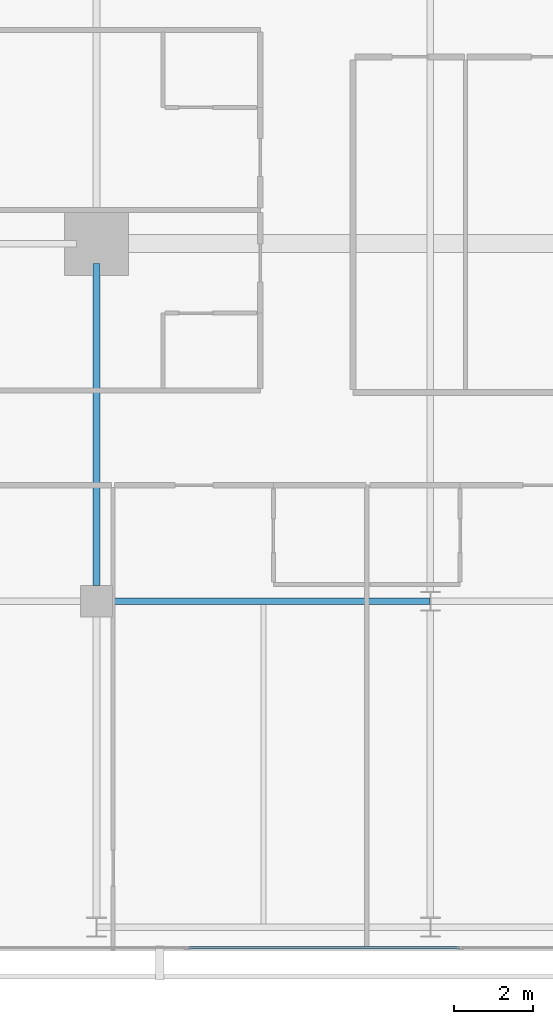
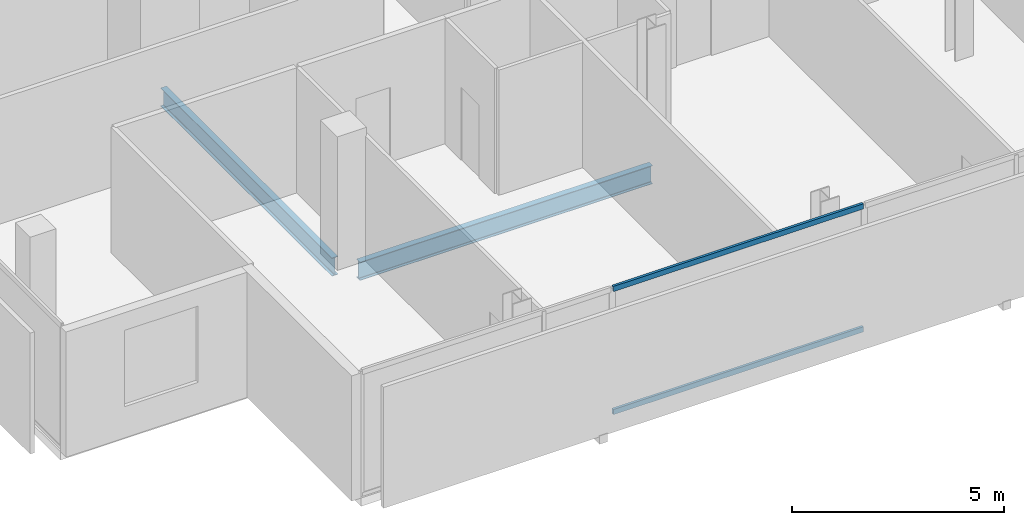
# One storey, part 5 of 26: 2 beams, 2 members, 1 element without a shape of its own.
"""IFC4 building model written with IfcOpenShell, lengths in metres."""

import ifcopenshell
import ifcopenshell.guid

model = None  # the IFC model being written
_history = None  # IfcOwnerHistory: only IFC2X3 demands one
_inside = {}  # id of a spatial element -> (the spatial element, [elements in it])
_under = {}  # id of a project, library or spatial element -> (it, [spatial elements below it])
_declared = {}  # id of a project -> (the project, [libraries it declares])
_typed = {}  # id of a type object -> (the type object, [elements of that type])
_made_of = {}  # id of a material, layer set ... -> (it, [elements and type objects made of it])


def new_model(schema):
    """Start an empty IFC model of exactly this schema.

    Asked for "IFC4X3", IfcOpenShell would pick the latest addendum, in which some entities
    have other attributes; the version numbers below select the first issue.
    IFC2X3 requires an IfcOwnerHistory on every rooted entity: one is made here for all.
    """
    global model, _history
    if schema == "IFC4X3":
        model = ifcopenshell.file(schema_version=(4, 3, 0, 0))
    else:
        model = ifcopenshell.file(schema=schema)
    _inside.clear()
    _under.clear()
    _declared.clear()
    _typed.clear()
    _made_of.clear()
    _history = None
    if model.schema == "IFC2X3":
        org = make("IfcOrganization", Name="unknown")
        user = make(
            "IfcPersonAndOrganization",
            ThePerson=make("IfcPerson", FamilyName="unknown"),
            TheOrganization=org,
        )
        app = make(
            "IfcApplication",
            ApplicationDeveloper=org,
            Version="unknown",
            ApplicationFullName="unknown",
            ApplicationIdentifier="unknown",
        )
        _history = make(
            "IfcOwnerHistory",
            OwningUser=user,
            OwningApplication=app,
            ChangeAction="ADDED",
            CreationDate=0,
        )
    return model


def make(cls, **values):
    """One entity of the class cls with the attributes given. An attribute that is None is left unset."""
    return model.create_entity(
        cls, **{name: value for name, value in values.items() if value is not None}
    )


def rooted(cls, **values):
    """An entity with a GlobalId (a new one), such as an element, a storey or a relation."""
    return make(cls, GlobalId=ifcopenshell.guid.new(), OwnerHistory=_history, **values)


def si_unit(unit_type, name, prefix=None):
    """IfcSIUnit, for example si_unit("LENGTHUNIT", "METRE", prefix="MILLI")."""
    return make("IfcSIUnit", UnitType=unit_type, Prefix=prefix, Name=name)


def assignment(units):
    """IfcUnitAssignment: the units of a project."""
    return None if units is None else make("IfcUnitAssignment", Units=units)


def point(xyz):
    """IfcCartesianPoint."""
    return None if xyz is None else make("IfcCartesianPoint", Coordinates=xyz)


def direction(xyz):
    """IfcDirection."""
    return None if xyz is None else make("IfcDirection", DirectionRatios=xyz)


def frame(location, z_axis=None, x_axis=None):
    """IfcAxis2Placement3D, a coordinate frame: its origin and axes. An axis left out is left unset."""
    return make(
        "IfcAxis2Placement3D",
        Location=point(location),
        Axis=direction(z_axis),
        RefDirection=direction(x_axis),
    )


def frame_2d(location, x_axis=None):
    """IfcAxis2Placement2D, a coordinate frame in the plane: its origin and x axis."""
    return make(
        "IfcAxis2Placement2D", Location=point(location), RefDirection=direction(x_axis)
    )


def origin():
    """The frame at (0, 0, 0) with its axes left unset."""
    return frame((0.0, 0.0, 0.0))


def origin_2d():
    """The frame at (0, 0) in the plane with its x axis left unset."""
    return frame_2d((0.0, 0.0))


def place(relative_to, where):
    """IfcLocalPlacement: puts the frame where relative to a parent placement (None: the world)."""
    return make(
        "IfcLocalPlacement", PlacementRelTo=relative_to, RelativePlacement=where
    )


def context(
    kind, dimensions, precision=None, world=None, true_north=None, identifier=None
):
    """IfcGeometricRepresentationContext, for example the 3D "Model" context."""
    return make(
        "IfcGeometricRepresentationContext",
        ContextIdentifier=identifier,
        ContextType=kind,
        CoordinateSpaceDimension=dimensions,
        Precision=precision,
        WorldCoordinateSystem=world,
        TrueNorth=true_north,
    )


def subcontext(parent, identifier, kind, view, scale=None):
    """IfcGeometricRepresentationSubContext, for example "Body" below "Model"."""
    return make(
        "IfcGeometricRepresentationSubContext",
        ContextIdentifier=identifier,
        ContextType=kind,
        ParentContext=parent,
        TargetScale=scale,
        TargetView=view,
    )


def project(units=None, contexts=None):
    """IfcProject with its units and contexts."""
    return rooted(
        "IfcProject",
        Name="project",
        RepresentationContexts=contexts,
        UnitsInContext=assignment(units),
    )


def spatial(cls, under=None, at=None, **own):
    """A site, building, storey or space (cls), placed at a placement, below another one or the project."""
    s = rooted(cls, ObjectPlacement=at, **own)
    if under is not None:
        _under.setdefault(under.id(), (under, []))[1].append(s)
    return s


def profile(cls, at=None, kind="AREA", **sizes):
    """A parametric profile (cls). Its sizes go by their IFC names, for example OverallWidth=200.0."""
    return make(cls, ProfileType=kind, Position=at, **sizes)


def hollow_rectangle(**sizes):
    """IfcRectangleHollowProfileDef."""
    return profile("IfcRectangleHollowProfileDef", **sizes)


def i_section(**sizes):
    """IfcIShapeProfileDef."""
    return profile("IfcIShapeProfileDef", **sizes)


def extrude(swept, where, along, depth):
    """IfcExtrudedAreaSolid: the profile swept, set in the frame where, extruded along a direction by depth."""
    return make(
        "IfcExtrudedAreaSolid",
        SweptArea=swept,
        Position=where,
        ExtrudedDirection=direction(along),
        Depth=depth,
    )


def shape(context_of_items, identifier, shape_type, items):
    """IfcShapeRepresentation: the items that make up one representation, for example the "Body"."""
    return make(
        "IfcShapeRepresentation",
        ContextOfItems=context_of_items,
        RepresentationIdentifier=identifier,
        RepresentationType=shape_type,
        Items=items,
    )


def material(Name=None, Category=None):
    """IfcMaterial."""
    return make("IfcMaterial", Name=Name, Category=Category)


def layer(
    of_material, thickness, ventilated=None, Name=None, Category=None, Priority=None
):
    """IfcMaterialLayer: one layer of a wall or slab, of a material (None: an air gap)."""
    return make(
        "IfcMaterialLayer",
        Material=of_material,
        LayerThickness=thickness,
        IsVentilated=ventilated,
        Name=Name,
        Category=Category,
        Priority=Priority,
    )


def layer_set(layers, Name=None):
    """IfcMaterialLayerSet."""
    return make("IfcMaterialLayerSet", MaterialLayers=layers, LayerSetName=Name)


def material_profile(
    of_material, cross_section, Name=None, Category=None, Priority=None
):
    """IfcMaterialProfile: a cross section and its material."""
    return make(
        "IfcMaterialProfile",
        Name=Name,
        Material=of_material,
        Profile=cross_section,
        Priority=Priority,
        Category=Category,
    )


def profile_set(profiles, Name=None, composite=None):
    """IfcMaterialProfileSet."""
    return make(
        "IfcMaterialProfileSet",
        Name=Name,
        MaterialProfiles=profiles,
        CompositeProfile=composite,
    )


def made_of(thing, what):
    """Note that an element or type object is made of a material, layer set ...; save() writes the relation."""
    if what is not None:
        _made_of.setdefault(what.id(), (what, []))[1].append(thing)
    return thing


def type_object(cls, material=None, **own):
    """A type object (cls), such as IfcWallType, which elements share."""
    return made_of(rooted(cls, **own), material)


def element(
    cls,
    number,
    at=None,
    inside=None,
    cuts=None,
    type_object=None,
    material=None,
    context=None,
    identifier="Body",
    shape_type=None,
    held_by="IfcProductDefinitionShape",
    body=None,
    shapes=None,
    **own,
):
    """One element of the class cls, such as IfcWall. Its Tag is "e" and its number.

    at: its placement. inside: the storey or other place that contains it. cuts: it is an
    opening in that element (IfcRelVoidsElement). A single representation is given by context,
    identifier, shape_type and body (its items); several are given by shapes. held_by: the class
    of the entity that holds the representations. save() writes the other relations.
    """
    e = rooted(cls, Tag="e%d" % number, ObjectPlacement=at, **own)
    if body is not None:
        shapes = [shape(context, identifier, shape_type, body)]
    if shapes is not None:
        e.Representation = make(held_by, Representations=shapes)
    if inside is not None:
        _inside.setdefault(inside.id(), (inside, []))[1].append(e)
    if cuts is not None:
        rooted(
            "IfcRelVoidsElement", RelatingBuildingElement=cuts, RelatedOpeningElement=e
        )
    if type_object is not None:
        _typed.setdefault(type_object.id(), (type_object, []))[1].append(e)
    return made_of(e, material)


def aggregate(whole, parts):
    """IfcRelAggregates: a whole, such as a stair, and the parts it consists of."""
    return rooted("IfcRelAggregates", RelatingObject=whole, RelatedObjects=parts)


def save(model, path):
    """Write the relations noted so far, then the file.

    IfcRelAggregates (storeys below a building ...), IfcRelContainedInSpatialStructure (elements
    in a storey), IfcRelDefinesByType, IfcRelAssociatesMaterial and IfcRelDeclares: one each for
    every whole, place, type object, material and project.
    """
    for whole, parts in _under.values():
        aggregate(whole, parts)
    for where, things in _inside.values():
        rooted(
            "IfcRelContainedInSpatialStructure",
            RelatedElements=things,
            RelatingStructure=where,
        )
    for kind, things in _typed.values():
        rooted("IfcRelDefinesByType", RelatedObjects=things, RelatingType=kind)
    for what, things in _made_of.values():
        rooted("IfcRelAssociatesMaterial", RelatedObjects=things, RelatingMaterial=what)
    for by, libraries in _declared.values():
        rooted("IfcRelDeclares", RelatingContext=by, RelatedDefinitions=libraries)
    model.write(path)


model = new_model("IFC4")

# Units and contexts
model_context = context("Model", 3, precision=1e-05, world=origin(), true_north=direction((0.0, 1.0)))
body_context = subcontext(model_context, "Body", "Model", "MODEL_VIEW")
ifc_project = project(units=[si_unit("LENGTHUNIT", "METRE"), si_unit("AREAUNIT", "SQUARE_METRE"), si_unit("VOLUMEUNIT", "CUBIC_METRE"), si_unit("PLANEANGLEUNIT", "RADIAN"), si_unit("MASSUNIT", "GRAM", prefix="KILO")], contexts=[model_context])

# Site, building, storey
site_placement = place(None, origin())
site = spatial("IfcSite", under=ifc_project, at=site_placement, CompositionType="ELEMENT")
building_placement = place(site_placement, origin())
building = spatial("IfcBuilding", under=site, at=building_placement, Name="Maruvema Waterfront Hotel and Observation Tower", CompositionType="ELEMENT")
storey_placement = place(building_placement, frame((0.0, 0.0, 301.0)))
storey = spatial("IfcBuildingStorey", under=building, at=storey_placement, Name="L74", CompositionType="ELEMENT", Elevation=301.0)

# Curtain wall, members
ifc_material_1 = material(Name="Anodised bronze aluminium and solar-control low-E IGU", Category="aluminium")
ifc_layer = layer(ifc_material_1, 0.159912109375, Name="Zone 3 Champagne Inner Thermal Curtain Wall System CW-04")
ifc_layer_set = layer_set([ifc_layer], Name="Anodised bronze aluminium and solar-control low-E IGU")
curtain_wall_type = type_object("IfcCurtainWallType", Name="Zone 3 Champagne Inner Thermal Curtain Wall System CW-04", PredefinedType="USERDEFINED", material=ifc_layer_set)
curtain_wall_placement = place(storey_placement, origin())
curtain_wall = element("IfcCurtainWall", 1, at=curtain_wall_placement, inside=storey, type_object=curtain_wall_type, Name="L74 Curtain Wall CW-L74-S", ObjectType="UNITISED CURTAIN WALL", PredefinedType="USERDEFINED")
ifc_material_2 = material(Name="Anodised architectural bronze aluminium", Category="aluminium")
ifc_material_profile_1 = material_profile(ifc_material_2, hollow_rectangle(XDim=0.070068359375, YDim=0.14990234375, WallThickness=0.00390625, at=origin_2d()), Name="ALU-T70x150")
ifc_profile_set_1 = profile_set([ifc_material_profile_1], Name="Anodised architectural bronze aluminium")
member_type = type_object("IfcMemberType", Name="Curtain Wall Horizontal Transom ALU-T70x150", PredefinedType="USERDEFINED", material=ifc_profile_set_1)
member_1_placement = place(storey_placement, frame((27.510009765625, 9.280029296875, 0.030029296875), z_axis=(1.0, 0.0, 0.0), x_axis=(0.0, 1.0, 0.0)))
member_1 = element("IfcMember", 2, at=member_1_placement, type_object=member_type, Name="CW-04 transom 2.1", ObjectType="TRANSOM", PredefinedType="USERDEFINED", context=body_context, shape_type="SweptSolid", body=[
    extrude(hollow_rectangle(XDim=0.070068359375, YDim=0.14990234375, WallThickness=0.00390625, at=origin_2d()), origin(), (0.0, 0.0, 1.0), 6.820068359375),
])
member_2_placement = place(storey_placement, frame((27.510009765625, 9.280029296875, 3.580078125), z_axis=(1.0, 0.0, 0.0), x_axis=(0.0, 1.0, 0.0)))
member_2 = element("IfcMember", 3, at=member_2_placement, type_object=member_type, Name="CW-04 transom 2.2", ObjectType="TRANSOM", PredefinedType="USERDEFINED", context=body_context, shape_type="SweptSolid", body=[
    extrude(hollow_rectangle(XDim=0.070068359375, YDim=0.14990234375, WallThickness=0.00390625, at=origin_2d()), origin(), (0.0, 0.0, 1.0), 6.820068359375),
])
aggregate(curtain_wall, [member_1, member_2])

# Beams
ifc_material_3 = material(Name="Steel ASTM A572 Grade 50", Category="steel")
ifc_material_profile_2 = material_profile(ifc_material_3, i_section(OverallWidth=0.166015625, OverallDepth=0.529052734375, WebThickness=0.009765625, FlangeThickness=0.013671875, FilletRadius=0.014892578125, at=origin_2d()), Name="W530x74.0")
ifc_profile_set_2 = profile_set([ifc_material_profile_2], Name="Steel ASTM A572 Grade 50")
beam_type = type_object("IfcBeamType", Name="Primary Floor Girder W530x74.0", PredefinedType="BEAM", material=ifc_profile_set_2)
beam_1_placement = place(storey_placement, frame((25.60009765625, 18.0, -0.50439453125), z_axis=(1.0, 0.0, 0.0), x_axis=(0.0, 1.0, 0.0)))
element("IfcBeam", 4, at=beam_1_placement, inside=storey, type_object=beam_type, Name="L74 Floor Girder EW-05", PredefinedType="BEAM", context=body_context, shape_type="SweptSolid", body=[
    extrude(i_section(OverallWidth=0.166015625, OverallDepth=0.529052734375, WebThickness=0.009765625, FlangeThickness=0.013671875, FilletRadius=0.014892578125, at=origin_2d()), origin(), (0.0, 0.0, 1.0), 7.989013671875),
])
beam_2_placement = place(storey_placement, frame((25.199951171875, 18.39990234375, -0.50439453125), z_axis=(0.0, 1.0, 0.0), x_axis=(-1.0, 0.0, 0.0)))
element("IfcBeam", 5, at=beam_2_placement, inside=storey, type_object=beam_type, Name="L74 Floor Girder NS-05", PredefinedType="BEAM", context=body_context, shape_type="SweptSolid", body=[
    extrude(i_section(OverallWidth=0.166015625, OverallDepth=0.529052734375, WebThickness=0.009765625, FlangeThickness=0.013671875, FilletRadius=0.014892578125, at=origin_2d()), origin(), (0.0, 0.0, 1.0), 8.10009765625),
])

save(model, "model.ifc")
